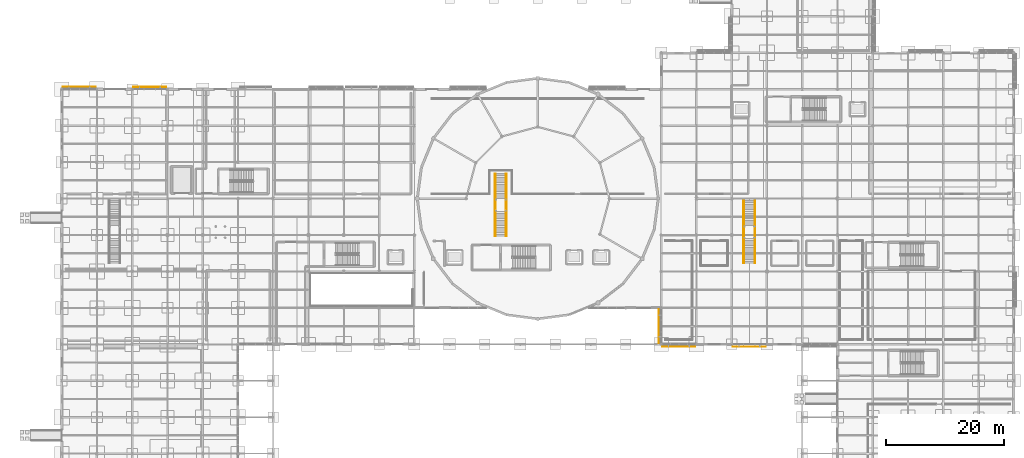
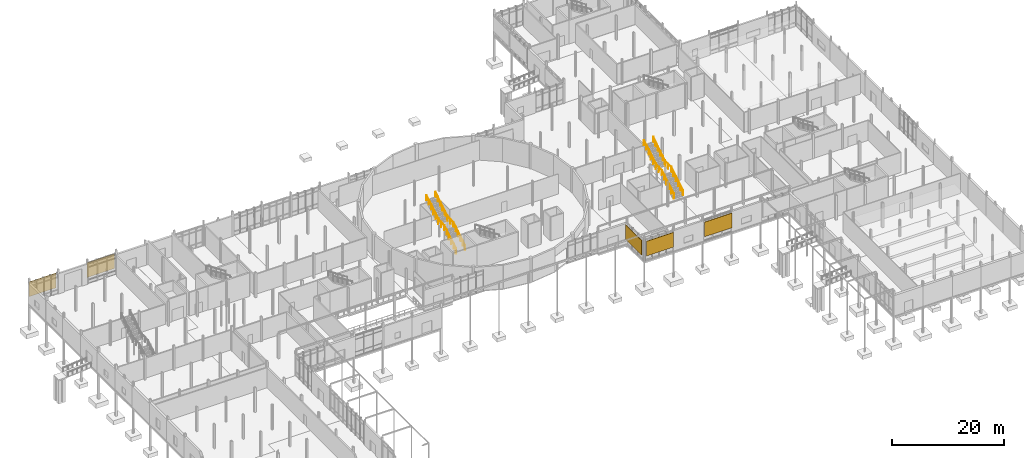
# One storey, part 91 of 98: 8 railings, 5 shading devices.
"""IFC4 building model written with IfcOpenShell, lengths in metres."""

from ifc_helpers import new_model, si_unit, direction, frame, origin, origin_2d, place, context, subcontext, project, spatial, rectangle, circle, extrude, material, layer, layer_set, type_object, element, save


model = new_model("IFC4")

# Units and contexts
model_context = context("Model", 3, precision=1e-05, world=origin(), true_north=direction((0.0, 1.0)))
body_context = subcontext(model_context, "Body", "Model", "MODEL_VIEW")
ifc_project = project(units=[si_unit("LENGTHUNIT", "METRE"), si_unit("AREAUNIT", "SQUARE_METRE"), si_unit("VOLUMEUNIT", "CUBIC_METRE"), si_unit("PLANEANGLEUNIT", "RADIAN"), si_unit("MASSUNIT", "GRAM", prefix="KILO")], contexts=[model_context])

# Site, building, storey
site_placement = place(None, origin())
site = spatial("IfcSite", under=ifc_project, at=site_placement, CompositionType="ELEMENT")
building_placement = place(site_placement, origin())
building = spatial("IfcBuilding", under=site, at=building_placement, Name="Mirzam Square Science Centre", CompositionType="ELEMENT")
storey_placement = place(building_placement, origin())
storey = spatial("IfcBuildingStorey", under=building, at=storey_placement, Name="L00", CompositionType="ELEMENT", Elevation=0.0)

# Railings
ifc_material_1 = material(Name="Bronze-Anodised Architectural Balustrade", Category="aluminium")
railing_type_1 = type_object("IfcRailingType", Name="RL-INT-GUARD-1100", PredefinedType="GUARDRAIL", material=ifc_material_1)
railing_1_placement = place(storey_placement, frame((73.739990234375, 55.60009765625, 0.179931640625)))
element("IfcRailing", 1, at=railing_1_placement, inside=storey, type_object=railing_type_1, Name="ST-07 balustrade guard L", PredefinedType="GUARDRAIL", context=body_context, shape_type="SweptSolid", body=[
    extrude(circle(Radius=0.02392578125, at=origin_2d()), frame((0.0, 0.0, 1.09619140625), z_axis=(0.0, 0.857488527567, 0.514503085598), x_axis=(-1.0, 0.0, 0.0)), (0.0, 0.0, 1.0), 4.89794921875),
    extrude(circle(Radius=0.02392578125, at=origin_2d()), frame((0.0, 4.199951171875, 3.6162109375), z_axis=(0.0, 1.0, 0.0), x_axis=(-1.0, 0.0, 0.0)), (0.0, 0.0, 1.0), 2.199951171875),
    extrude(circle(Radius=0.02392578125, at=origin_2d()), frame((0.0, 6.39990234375, 3.6162109375), z_axis=(0.0, 0.841180064094, 0.540755119968), x_axis=(-1.0, 0.0, 0.0)), (0.0, 0.0, 1.0), 4.992919921875),
    extrude(circle(Radius=0.02099609375, at=origin_2d()), origin(), (0.0, 0.0, 1.0), 1.072021484375),
    extrude(circle(Radius=0.02099609375, at=origin_2d()), frame((0.0, 0.840087890625, 0.50390625)), (0.0, 0.0, 1.0), 1.072021484375),
    extrude(circle(Radius=0.02099609375, at=origin_2d()), frame((0.0, 1.679931640625, 1.008056640625)), (0.0, 0.0, 1.0), 1.072021484375),
    extrude(circle(Radius=0.02099609375, at=origin_2d()), frame((0.0, 2.52001953125, 1.511962890625)), (0.0, 0.0, 1.0), 1.072021484375),
    extrude(circle(Radius=0.02099609375, at=origin_2d()), frame((0.0, 3.35986328125, 2.01611328125)), (0.0, 0.0, 1.0), 1.072021484375),
    extrude(circle(Radius=0.02099609375, at=origin_2d()), frame((0.0, 4.199951171875, 2.52001953125)), (0.0, 0.0, 1.0), 1.072021484375),
    extrude(circle(Radius=0.02099609375, at=origin_2d()), frame((0.0, 5.2998046875, 2.52001953125)), (0.0, 0.0, 1.0), 1.072021484375),
    extrude(circle(Radius=0.02099609375, at=origin_2d()), frame((0.0, 6.39990234375, 2.52001953125)), (0.0, 0.0, 1.0), 1.072021484375),
    extrude(circle(Radius=0.02099609375, at=origin_2d()), frame((0.0, 7.239990234375, 3.06005859375)), (0.0, 0.0, 1.0), 1.072021484375),
    extrude(circle(Radius=0.02099609375, at=origin_2d()), frame((0.0, 8.079833984375, 3.60009765625)), (0.0, 0.0, 1.0), 1.072021484375),
    extrude(circle(Radius=0.02099609375, at=origin_2d()), frame((0.0, 8.919921875, 4.139892578125)), (0.0, 0.0, 1.0), 1.072021484375),
    extrude(circle(Radius=0.02099609375, at=origin_2d()), frame((0.0, 9.759765625, 4.679931640625)), (0.0, 0.0, 1.0), 1.072021484375),
    extrude(circle(Radius=0.02099609375, at=origin_2d()), frame((0.0, 10.599853515625, 5.219970703125)), (0.0, 0.0, 1.0), 1.072021484375),
])
railing_2_placement = place(storey_placement, frame((75.659912109375, 55.60009765625, 0.179931640625)))
element("IfcRailing", 2, at=railing_2_placement, inside=storey, type_object=railing_type_1, Name="ST-07 balustrade guard R", PredefinedType="GUARDRAIL", context=body_context, shape_type="SweptSolid", body=[
    extrude(circle(Radius=0.02392578125, at=origin_2d()), frame((0.0, 0.0, 1.09619140625), z_axis=(0.0, 0.857488527567, 0.514503085598), x_axis=(-1.0, 0.0, 0.0)), (0.0, 0.0, 1.0), 4.89794921875),
    extrude(circle(Radius=0.02392578125, at=origin_2d()), frame((0.0, 4.199951171875, 3.6162109375), z_axis=(0.0, 1.0, 0.0), x_axis=(-1.0, 0.0, 0.0)), (0.0, 0.0, 1.0), 2.199951171875),
    extrude(circle(Radius=0.02392578125, at=origin_2d()), frame((0.0, 6.39990234375, 3.6162109375), z_axis=(0.0, 0.841180064094, 0.540755119968), x_axis=(-1.0, 0.0, 0.0)), (0.0, 0.0, 1.0), 4.992919921875),
    extrude(circle(Radius=0.02099609375, at=origin_2d()), origin(), (0.0, 0.0, 1.0), 1.072021484375),
    extrude(circle(Radius=0.02099609375, at=origin_2d()), frame((0.0, 0.840087890625, 0.50390625)), (0.0, 0.0, 1.0), 1.072021484375),
    extrude(circle(Radius=0.02099609375, at=origin_2d()), frame((0.0, 1.679931640625, 1.008056640625)), (0.0, 0.0, 1.0), 1.072021484375),
    extrude(circle(Radius=0.02099609375, at=origin_2d()), frame((0.0, 2.52001953125, 1.511962890625)), (0.0, 0.0, 1.0), 1.072021484375),
    extrude(circle(Radius=0.02099609375, at=origin_2d()), frame((0.0, 3.35986328125, 2.01611328125)), (0.0, 0.0, 1.0), 1.072021484375),
    extrude(circle(Radius=0.02099609375, at=origin_2d()), frame((0.0, 4.199951171875, 2.52001953125)), (0.0, 0.0, 1.0), 1.072021484375),
    extrude(circle(Radius=0.02099609375, at=origin_2d()), frame((0.0, 5.2998046875, 2.52001953125)), (0.0, 0.0, 1.0), 1.072021484375),
    extrude(circle(Radius=0.02099609375, at=origin_2d()), frame((0.0, 6.39990234375, 2.52001953125)), (0.0, 0.0, 1.0), 1.072021484375),
    extrude(circle(Radius=0.02099609375, at=origin_2d()), frame((0.0, 7.239990234375, 3.06005859375)), (0.0, 0.0, 1.0), 1.072021484375),
    extrude(circle(Radius=0.02099609375, at=origin_2d()), frame((0.0, 8.079833984375, 3.60009765625)), (0.0, 0.0, 1.0), 1.072021484375),
    extrude(circle(Radius=0.02099609375, at=origin_2d()), frame((0.0, 8.919921875, 4.139892578125)), (0.0, 0.0, 1.0), 1.072021484375),
    extrude(circle(Radius=0.02099609375, at=origin_2d()), frame((0.0, 9.759765625, 4.679931640625)), (0.0, 0.0, 1.0), 1.072021484375),
    extrude(circle(Radius=0.02099609375, at=origin_2d()), frame((0.0, 10.599853515625, 5.219970703125)), (0.0, 0.0, 1.0), 1.072021484375),
])
railing_3_placement = place(storey_placement, frame((116.014892578125, 51.0, 0.179931640625)))
element("IfcRailing", 3, at=railing_3_placement, inside=storey, type_object=railing_type_1, Name="ST-10 balustrade guard L", PredefinedType="GUARDRAIL", context=body_context, shape_type="SweptSolid", body=[
    extrude(circle(Radius=0.02392578125, at=origin_2d()), frame((0.0, 0.0, 1.09619140625), z_axis=(0.0, 0.857488527567, 0.514503085598), x_axis=(-1.0, 0.0, 0.0)), (0.0, 0.0, 1.0), 4.89794921875),
    extrude(circle(Radius=0.02392578125, at=origin_2d()), frame((0.0, 4.199951171875, 3.6162109375), z_axis=(0.0, 1.0, 0.0), x_axis=(-1.0, 0.0, 0.0)), (0.0, 0.0, 1.0), 2.199951171875),
    extrude(circle(Radius=0.02392578125, at=origin_2d()), frame((0.0, 6.39990234375, 3.6162109375), z_axis=(0.0, 0.841194361566, 0.540732878665), x_axis=(-1.0, 0.0, 0.0)), (0.0, 0.0, 1.0), 4.9931640625),
    extrude(circle(Radius=0.02099609375, at=origin_2d()), origin(), (0.0, 0.0, 1.0), 1.072021484375),
    extrude(circle(Radius=0.02099609375, at=origin_2d()), frame((0.0, 0.840087890625, 0.50390625)), (0.0, 0.0, 1.0), 1.072021484375),
    extrude(circle(Radius=0.02099609375, at=origin_2d()), frame((0.0, 1.679931640625, 1.008056640625)), (0.0, 0.0, 1.0), 1.072021484375),
    extrude(circle(Radius=0.02099609375, at=origin_2d()), frame((0.0, 2.52001953125, 1.511962890625)), (0.0, 0.0, 1.0), 1.072021484375),
    extrude(circle(Radius=0.02099609375, at=origin_2d()), frame((0.0, 3.35986328125, 2.01611328125)), (0.0, 0.0, 1.0), 1.072021484375),
    extrude(circle(Radius=0.02099609375, at=origin_2d()), frame((0.0, 4.199951171875, 2.52001953125)), (0.0, 0.0, 1.0), 1.072021484375),
    extrude(circle(Radius=0.02099609375, at=origin_2d()), frame((0.0, 5.2998046875, 2.52001953125)), (0.0, 0.0, 1.0), 1.072021484375),
    extrude(circle(Radius=0.02099609375, at=origin_2d()), frame((0.0, 6.39990234375, 2.52001953125)), (0.0, 0.0, 1.0), 1.072021484375),
    extrude(circle(Radius=0.02099609375, at=origin_2d()), frame((0.0, 7.239990234375, 3.06005859375)), (0.0, 0.0, 1.0), 1.072021484375),
    extrude(circle(Radius=0.02099609375, at=origin_2d()), frame((0.0, 8.080078125, 3.60009765625)), (0.0, 0.0, 1.0), 1.072021484375),
    extrude(circle(Radius=0.02099609375, at=origin_2d()), frame((0.0, 8.919921875, 4.139892578125)), (0.0, 0.0, 1.0), 1.072021484375),
    extrude(circle(Radius=0.02099609375, at=origin_2d()), frame((0.0, 9.760009765625, 4.679931640625)), (0.0, 0.0, 1.0), 1.072021484375),
    extrude(circle(Radius=0.02099609375, at=origin_2d()), frame((0.0, 10.60009765625, 5.219970703125)), (0.0, 0.0, 1.0), 1.072021484375),
])
railing_4_placement = place(storey_placement, frame((117.985107421875, 51.0, 0.179931640625)))
element("IfcRailing", 4, at=railing_4_placement, inside=storey, type_object=railing_type_1, Name="ST-10 balustrade guard R", PredefinedType="GUARDRAIL", context=body_context, shape_type="SweptSolid", body=[
    extrude(circle(Radius=0.02392578125, at=origin_2d()), frame((0.0, 0.0, 1.09619140625), z_axis=(0.0, 0.857488527567, 0.514503085598), x_axis=(-1.0, 0.0, 0.0)), (0.0, 0.0, 1.0), 4.89794921875),
    extrude(circle(Radius=0.02392578125, at=origin_2d()), frame((0.0, 4.199951171875, 3.6162109375), z_axis=(0.0, 1.0, 0.0), x_axis=(-1.0, 0.0, 0.0)), (0.0, 0.0, 1.0), 2.199951171875),
    extrude(circle(Radius=0.02392578125, at=origin_2d()), frame((0.0, 6.39990234375, 3.6162109375), z_axis=(0.0, 0.841194361566, 0.540732878665), x_axis=(-1.0, 0.0, 0.0)), (0.0, 0.0, 1.0), 4.9931640625),
    extrude(circle(Radius=0.02099609375, at=origin_2d()), origin(), (0.0, 0.0, 1.0), 1.072021484375),
    extrude(circle(Radius=0.02099609375, at=origin_2d()), frame((0.0, 0.840087890625, 0.50390625)), (0.0, 0.0, 1.0), 1.072021484375),
    extrude(circle(Radius=0.02099609375, at=origin_2d()), frame((0.0, 1.679931640625, 1.008056640625)), (0.0, 0.0, 1.0), 1.072021484375),
    extrude(circle(Radius=0.02099609375, at=origin_2d()), frame((0.0, 2.52001953125, 1.511962890625)), (0.0, 0.0, 1.0), 1.072021484375),
    extrude(circle(Radius=0.02099609375, at=origin_2d()), frame((0.0, 3.35986328125, 2.01611328125)), (0.0, 0.0, 1.0), 1.072021484375),
    extrude(circle(Radius=0.02099609375, at=origin_2d()), frame((0.0, 4.199951171875, 2.52001953125)), (0.0, 0.0, 1.0), 1.072021484375),
    extrude(circle(Radius=0.02099609375, at=origin_2d()), frame((0.0, 5.2998046875, 2.52001953125)), (0.0, 0.0, 1.0), 1.072021484375),
    extrude(circle(Radius=0.02099609375, at=origin_2d()), frame((0.0, 6.39990234375, 2.52001953125)), (0.0, 0.0, 1.0), 1.072021484375),
    extrude(circle(Radius=0.02099609375, at=origin_2d()), frame((0.0, 7.239990234375, 3.06005859375)), (0.0, 0.0, 1.0), 1.072021484375),
    extrude(circle(Radius=0.02099609375, at=origin_2d()), frame((0.0, 8.080078125, 3.60009765625)), (0.0, 0.0, 1.0), 1.072021484375),
    extrude(circle(Radius=0.02099609375, at=origin_2d()), frame((0.0, 8.919921875, 4.139892578125)), (0.0, 0.0, 1.0), 1.072021484375),
    extrude(circle(Radius=0.02099609375, at=origin_2d()), frame((0.0, 9.760009765625, 4.679931640625)), (0.0, 0.0, 1.0), 1.072021484375),
    extrude(circle(Radius=0.02099609375, at=origin_2d()), frame((0.0, 10.60009765625, 5.219970703125)), (0.0, 0.0, 1.0), 1.072021484375),
])
ifc_material_2 = material(Name="Brushed Bronze Tubular Handrail", Category="aluminium")
railing_type_2 = type_object("IfcRailingType", Name="RL-STAIR-HANDRAIL-900", PredefinedType="HANDRAIL", material=ifc_material_2)
railing_5_placement = place(storey_placement, frame((73.800048828125, 55.60009765625, 0.3720703125)))
element("IfcRailing", 5, at=railing_5_placement, inside=storey, type_object=railing_type_2, Name="ST-07 handrail L", PredefinedType="HANDRAIL", context=body_context, shape_type="SweptSolid", body=[
    extrude(circle(Radius=0.02392578125, at=origin_2d()), frame((0.0, 0.0, 0.8759765625), z_axis=(0.0, 0.857488527567, 0.514503085598), x_axis=(-1.0, 0.0, 0.0)), (0.0, 0.0, 1.0), 4.89794921875),
    extrude(circle(Radius=0.02392578125, at=origin_2d()), frame((0.0, 4.199951171875, 3.39599609375), z_axis=(0.0, 0.996671973571, 0.081516728945), x_axis=(-1.0, 0.0, 0.0)), (0.0, 0.0, 1.0), 2.207275390625),
    extrude(circle(Radius=0.02392578125, at=origin_2d()), frame((0.0, 6.39990234375, 3.57568359375), z_axis=(0.0, 0.857488527567, 0.514503085598), x_axis=(-1.0, 0.0, 0.0)), (0.0, 0.0, 1.0), 4.89794921875),
    extrude(circle(Radius=0.02099609375, at=origin_2d()), origin(), (0.0, 0.0, 1.0), 0.851806640625),
    extrude(circle(Radius=0.02099609375, at=origin_2d()), frame((0.0, 0.840087890625, 0.50390625)), (0.0, 0.0, 1.0), 0.851806640625),
    extrude(circle(Radius=0.02099609375, at=origin_2d()), frame((0.0, 1.679931640625, 1.008056640625)), (0.0, 0.0, 1.0), 0.851806640625),
    extrude(circle(Radius=0.02099609375, at=origin_2d()), frame((0.0, 2.52001953125, 1.511962890625)), (0.0, 0.0, 1.0), 0.851806640625),
    extrude(circle(Radius=0.02099609375, at=origin_2d()), frame((0.0, 3.35986328125, 2.01611328125)), (0.0, 0.0, 1.0), 0.851806640625),
    extrude(circle(Radius=0.02099609375, at=origin_2d()), frame((0.0, 4.199951171875, 2.52001953125)), (0.0, 0.0, 1.0), 0.851806640625),
    extrude(circle(Radius=0.02099609375, at=origin_2d()), frame((0.0, 5.2998046875, 2.60986328125)), (0.0, 0.0, 1.0), 0.851806640625),
    extrude(circle(Radius=0.02099609375, at=origin_2d()), frame((0.0, 6.39990234375, 2.699951171875)), (0.0, 0.0, 1.0), 0.851806640625),
    extrude(circle(Radius=0.02099609375, at=origin_2d()), frame((0.0, 7.239990234375, 3.203857421875)), (0.0, 0.0, 1.0), 0.851806640625),
    extrude(circle(Radius=0.02099609375, at=origin_2d()), frame((0.0, 8.079833984375, 3.7080078125)), (0.0, 0.0, 1.0), 0.851806640625),
    extrude(circle(Radius=0.02099609375, at=origin_2d()), frame((0.0, 8.919921875, 4.2119140625)), (0.0, 0.0, 1.0), 0.851806640625),
    extrude(circle(Radius=0.02099609375, at=origin_2d()), frame((0.0, 9.759765625, 4.716064453125)), (0.0, 0.0, 1.0), 0.851806640625),
    extrude(circle(Radius=0.02099609375, at=origin_2d()), frame((0.0, 10.599853515625, 5.219970703125)), (0.0, 0.0, 1.0), 0.851806640625),
])
railing_6_placement = place(storey_placement, frame((75.60009765625, 55.60009765625, 0.3720703125)))
element("IfcRailing", 6, at=railing_6_placement, inside=storey, type_object=railing_type_2, Name="ST-07 handrail R", PredefinedType="HANDRAIL", context=body_context, shape_type="SweptSolid", body=[
    extrude(circle(Radius=0.02392578125, at=origin_2d()), frame((0.0, 0.0, 0.8759765625), z_axis=(0.0, 0.857488527567, 0.514503085598), x_axis=(-1.0, 0.0, 0.0)), (0.0, 0.0, 1.0), 4.89794921875),
    extrude(circle(Radius=0.02392578125, at=origin_2d()), frame((0.0, 4.199951171875, 3.39599609375), z_axis=(0.0, 0.996671973571, 0.081516728945), x_axis=(-1.0, 0.0, 0.0)), (0.0, 0.0, 1.0), 2.207275390625),
    extrude(circle(Radius=0.02392578125, at=origin_2d()), frame((0.0, 6.39990234375, 3.57568359375), z_axis=(0.0, 0.857488527567, 0.514503085598), x_axis=(-1.0, 0.0, 0.0)), (0.0, 0.0, 1.0), 4.89794921875),
    extrude(circle(Radius=0.02099609375, at=origin_2d()), origin(), (0.0, 0.0, 1.0), 0.851806640625),
    extrude(circle(Radius=0.02099609375, at=origin_2d()), frame((0.0, 0.840087890625, 0.50390625)), (0.0, 0.0, 1.0), 0.851806640625),
    extrude(circle(Radius=0.02099609375, at=origin_2d()), frame((0.0, 1.679931640625, 1.008056640625)), (0.0, 0.0, 1.0), 0.851806640625),
    extrude(circle(Radius=0.02099609375, at=origin_2d()), frame((0.0, 2.52001953125, 1.511962890625)), (0.0, 0.0, 1.0), 0.851806640625),
    extrude(circle(Radius=0.02099609375, at=origin_2d()), frame((0.0, 3.35986328125, 2.01611328125)), (0.0, 0.0, 1.0), 0.851806640625),
    extrude(circle(Radius=0.02099609375, at=origin_2d()), frame((0.0, 4.199951171875, 2.52001953125)), (0.0, 0.0, 1.0), 0.851806640625),
    extrude(circle(Radius=0.02099609375, at=origin_2d()), frame((0.0, 5.2998046875, 2.60986328125)), (0.0, 0.0, 1.0), 0.851806640625),
    extrude(circle(Radius=0.02099609375, at=origin_2d()), frame((0.0, 6.39990234375, 2.699951171875)), (0.0, 0.0, 1.0), 0.851806640625),
    extrude(circle(Radius=0.02099609375, at=origin_2d()), frame((0.0, 7.239990234375, 3.203857421875)), (0.0, 0.0, 1.0), 0.851806640625),
    extrude(circle(Radius=0.02099609375, at=origin_2d()), frame((0.0, 8.079833984375, 3.7080078125)), (0.0, 0.0, 1.0), 0.851806640625),
    extrude(circle(Radius=0.02099609375, at=origin_2d()), frame((0.0, 8.919921875, 4.2119140625)), (0.0, 0.0, 1.0), 0.851806640625),
    extrude(circle(Radius=0.02099609375, at=origin_2d()), frame((0.0, 9.759765625, 4.716064453125)), (0.0, 0.0, 1.0), 0.851806640625),
    extrude(circle(Radius=0.02099609375, at=origin_2d()), frame((0.0, 10.599853515625, 5.219970703125)), (0.0, 0.0, 1.0), 0.851806640625),
])
railing_7_placement = place(storey_placement, frame((116.074951171875, 51.0, 0.3720703125)))
element("IfcRailing", 7, at=railing_7_placement, inside=storey, type_object=railing_type_2, Name="ST-10 handrail L", PredefinedType="HANDRAIL", context=body_context, shape_type="SweptSolid", body=[
    extrude(circle(Radius=0.02392578125, at=origin_2d()), frame((0.0, 0.0, 0.8759765625), z_axis=(0.0, 0.857488527567, 0.514503085598), x_axis=(-1.0, 0.0, 0.0)), (0.0, 0.0, 1.0), 4.89794921875),
    extrude(circle(Radius=0.02392578125, at=origin_2d()), frame((0.0, 4.199951171875, 3.39599609375), z_axis=(0.0, 0.996671973571, 0.081516728945), x_axis=(-1.0, 0.0, 0.0)), (0.0, 0.0, 1.0), 2.207275390625),
    extrude(circle(Radius=0.02392578125, at=origin_2d()), frame((0.0, 6.39990234375, 3.57568359375), z_axis=(0.0, 0.857501721439, 0.514481095599), x_axis=(-1.0, 0.0, 0.0)), (0.0, 0.0, 1.0), 4.898193359375),
    extrude(circle(Radius=0.02099609375, at=origin_2d()), origin(), (0.0, 0.0, 1.0), 0.851806640625),
    extrude(circle(Radius=0.02099609375, at=origin_2d()), frame((0.0, 0.840087890625, 0.50390625)), (0.0, 0.0, 1.0), 0.851806640625),
    extrude(circle(Radius=0.02099609375, at=origin_2d()), frame((0.0, 1.679931640625, 1.008056640625)), (0.0, 0.0, 1.0), 0.851806640625),
    extrude(circle(Radius=0.02099609375, at=origin_2d()), frame((0.0, 2.52001953125, 1.511962890625)), (0.0, 0.0, 1.0), 0.851806640625),
    extrude(circle(Radius=0.02099609375, at=origin_2d()), frame((0.0, 3.35986328125, 2.01611328125)), (0.0, 0.0, 1.0), 0.851806640625),
    extrude(circle(Radius=0.02099609375, at=origin_2d()), frame((0.0, 4.199951171875, 2.52001953125)), (0.0, 0.0, 1.0), 0.851806640625),
    extrude(circle(Radius=0.02099609375, at=origin_2d()), frame((0.0, 5.2998046875, 2.60986328125)), (0.0, 0.0, 1.0), 0.851806640625),
    extrude(circle(Radius=0.02099609375, at=origin_2d()), frame((0.0, 6.39990234375, 2.699951171875)), (0.0, 0.0, 1.0), 0.851806640625),
    extrude(circle(Radius=0.02099609375, at=origin_2d()), frame((0.0, 7.239990234375, 3.203857421875)), (0.0, 0.0, 1.0), 0.851806640625),
    extrude(circle(Radius=0.02099609375, at=origin_2d()), frame((0.0, 8.080078125, 3.7080078125)), (0.0, 0.0, 1.0), 0.851806640625),
    extrude(circle(Radius=0.02099609375, at=origin_2d()), frame((0.0, 8.919921875, 4.2119140625)), (0.0, 0.0, 1.0), 0.851806640625),
    extrude(circle(Radius=0.02099609375, at=origin_2d()), frame((0.0, 9.760009765625, 4.716064453125)), (0.0, 0.0, 1.0), 0.851806640625),
    extrude(circle(Radius=0.02099609375, at=origin_2d()), frame((0.0, 10.60009765625, 5.219970703125)), (0.0, 0.0, 1.0), 0.851806640625),
])
railing_8_placement = place(storey_placement, frame((117.925048828125, 51.0, 0.3720703125)))
element("IfcRailing", 8, at=railing_8_placement, inside=storey, type_object=railing_type_2, Name="ST-10 handrail R", PredefinedType="HANDRAIL", context=body_context, shape_type="SweptSolid", body=[
    extrude(circle(Radius=0.02392578125, at=origin_2d()), frame((0.0, 0.0, 0.8759765625), z_axis=(0.0, 0.857488527567, 0.514503085598), x_axis=(-1.0, 0.0, 0.0)), (0.0, 0.0, 1.0), 4.89794921875),
    extrude(circle(Radius=0.02392578125, at=origin_2d()), frame((0.0, 4.199951171875, 3.39599609375), z_axis=(0.0, 0.996671973571, 0.081516728945), x_axis=(-1.0, 0.0, 0.0)), (0.0, 0.0, 1.0), 2.207275390625),
    extrude(circle(Radius=0.02392578125, at=origin_2d()), frame((0.0, 6.39990234375, 3.57568359375), z_axis=(0.0, 0.857501721439, 0.514481095599), x_axis=(-1.0, 0.0, 0.0)), (0.0, 0.0, 1.0), 4.898193359375),
    extrude(circle(Radius=0.02099609375, at=origin_2d()), origin(), (0.0, 0.0, 1.0), 0.851806640625),
    extrude(circle(Radius=0.02099609375, at=origin_2d()), frame((0.0, 0.840087890625, 0.50390625)), (0.0, 0.0, 1.0), 0.851806640625),
    extrude(circle(Radius=0.02099609375, at=origin_2d()), frame((0.0, 1.679931640625, 1.008056640625)), (0.0, 0.0, 1.0), 0.851806640625),
    extrude(circle(Radius=0.02099609375, at=origin_2d()), frame((0.0, 2.52001953125, 1.511962890625)), (0.0, 0.0, 1.0), 0.851806640625),
    extrude(circle(Radius=0.02099609375, at=origin_2d()), frame((0.0, 3.35986328125, 2.01611328125)), (0.0, 0.0, 1.0), 0.851806640625),
    extrude(circle(Radius=0.02099609375, at=origin_2d()), frame((0.0, 4.199951171875, 2.52001953125)), (0.0, 0.0, 1.0), 0.851806640625),
    extrude(circle(Radius=0.02099609375, at=origin_2d()), frame((0.0, 5.2998046875, 2.60986328125)), (0.0, 0.0, 1.0), 0.851806640625),
    extrude(circle(Radius=0.02099609375, at=origin_2d()), frame((0.0, 6.39990234375, 2.699951171875)), (0.0, 0.0, 1.0), 0.851806640625),
    extrude(circle(Radius=0.02099609375, at=origin_2d()), frame((0.0, 7.239990234375, 3.203857421875)), (0.0, 0.0, 1.0), 0.851806640625),
    extrude(circle(Radius=0.02099609375, at=origin_2d()), frame((0.0, 8.080078125, 3.7080078125)), (0.0, 0.0, 1.0), 0.851806640625),
    extrude(circle(Radius=0.02099609375, at=origin_2d()), frame((0.0, 8.919921875, 4.2119140625)), (0.0, 0.0, 1.0), 0.851806640625),
    extrude(circle(Radius=0.02099609375, at=origin_2d()), frame((0.0, 9.760009765625, 4.716064453125)), (0.0, 0.0, 1.0), 0.851806640625),
    extrude(circle(Radius=0.02099609375, at=origin_2d()), frame((0.0, 10.60009765625, 5.219970703125)), (0.0, 0.0, 1.0), 0.851806640625),
])

# Shading devices
ifc_material_3 = material(Name="Perforated Bronze-Anodised Aluminium Brise-Soleil", Category="aluminium")
ifc_layer = layer(ifc_material_3, 0.080078125)
ifc_layer_set = layer_set([ifc_layer], Name="SHD-BRISE-BRONZE")
shading_device_type = type_object("IfcShadingDeviceType", Name="SHD-BRISE-BRONZE", PredefinedType="JALOUSIE", material=ifc_layer_set)
for number, where, z_axis, x_axis, name in (
    (9, (3.0, 81.010009765625, 1.08984375), (0.0, 0.0, 1.0), (-1.0, 0.0, 0.0), "L00 bronze brise-soleil screen 1"),
    (10, (15.0, 81.010009765625, 1.08984375), (0.0, 0.0, 1.0), (-1.0, 0.0, 0.0), "L00 bronze brise-soleil screen 2"),
    (11, (105.0, 36.7900390625, 1.08984375), (0.0, 0.0, 1.0), (1.0, 0.0, 0.0), "L00 bronze brise-soleil screen 54"),
    (12, (117.0, 36.7900390625, 1.08984375), (0.0, 0.0, 1.0), (1.0, 0.0, 0.0), "L00 bronze brise-soleil screen 55"),
):
    element("IfcShadingDevice", number, at=place(storey_placement, frame(where, z_axis=z_axis, x_axis=x_axis)), inside=storey, type_object=shading_device_type, Name=name, PredefinedType="JALOUSIE", context=body_context, shape_type="SweptSolid", body=[
        extrude(rectangle(XDim=5.590087890625, YDim=0.080078125, at=origin_2d()), origin(), (0.0, 0.0, 1.0), 3.199951171875),
    ])
shading_device_placement = place(storey_placement, frame((101.590087890625, 40.300048828125, 1.08984375), z_axis=(0.0, 0.0, 1.0), x_axis=(0.0, -1.0, 0.0)))
element("IfcShadingDevice", 13, at=shading_device_placement, inside=storey, type_object=shading_device_type, Name="L00 bronze brise-soleil screen 62", PredefinedType="JALOUSIE", context=body_context, shape_type="SweptSolid", body=[
    extrude(rectangle(XDim=5.7900390625, YDim=0.080078125, at=origin_2d()), origin(), (0.0, 0.0, 1.0), 3.199951171875),
])

save(model, "model.ifc")
